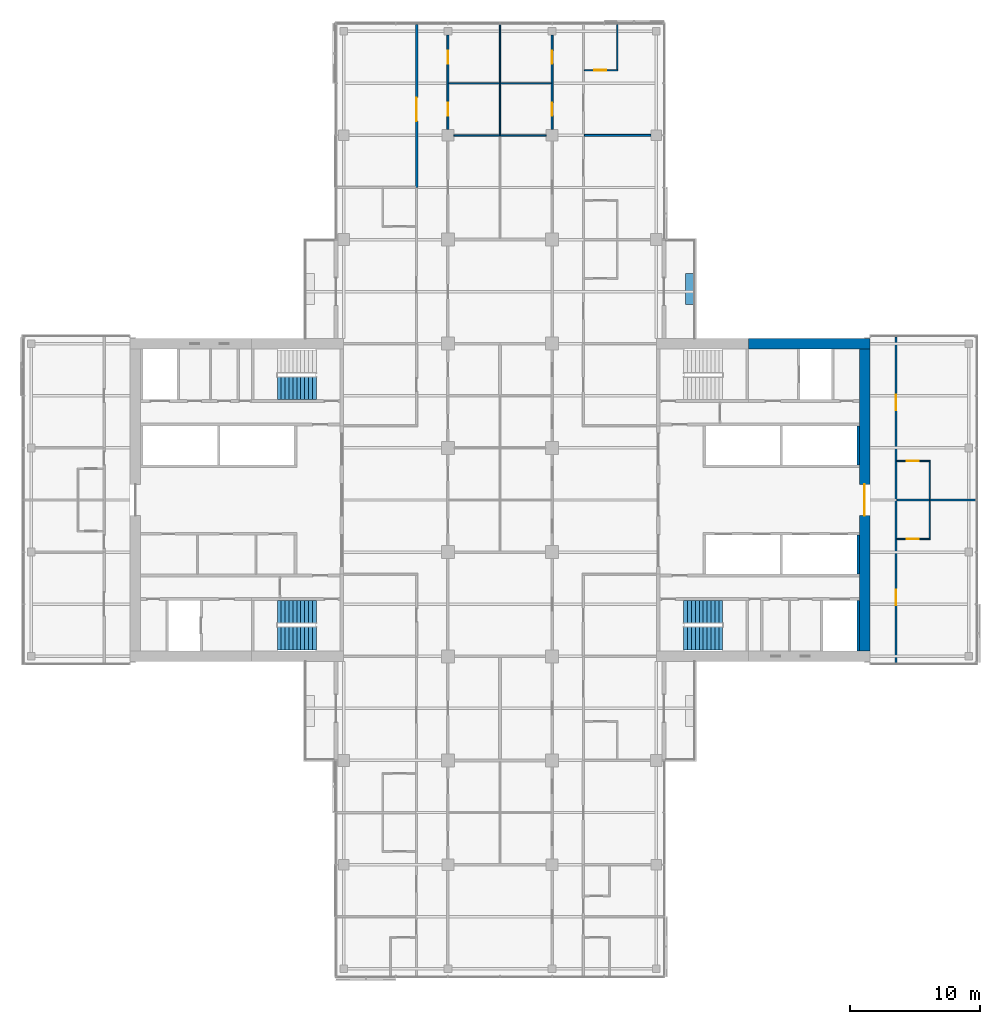
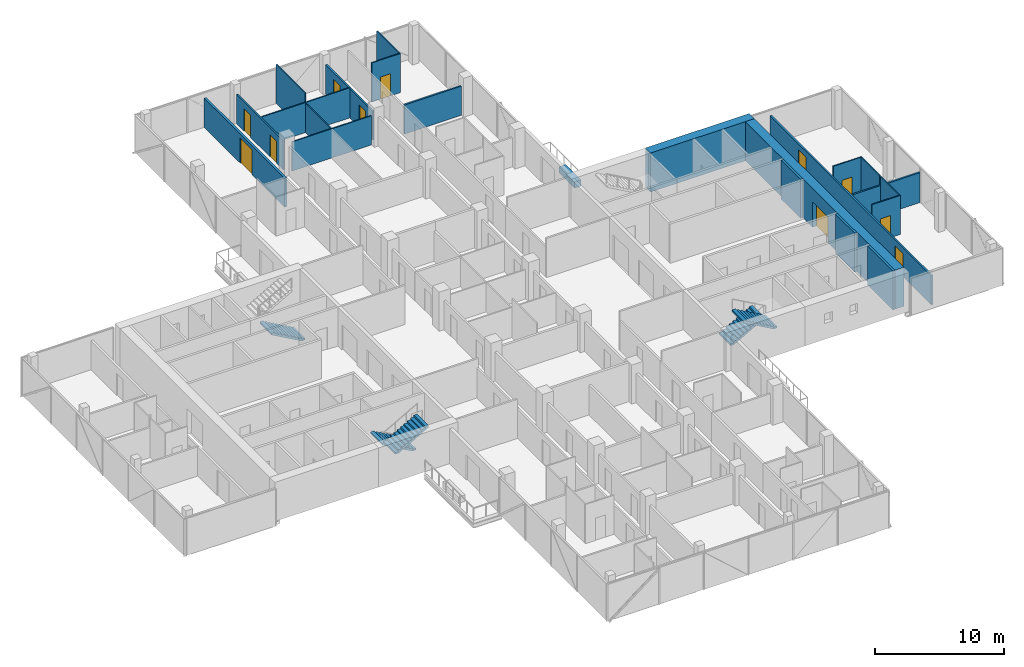
# One storey, part 21 of 27: 22 walls, 11 doors, 5 stair flights, 11 openings, 3 elements without a shape of their own.
"""IFC4 building model written with IfcOpenShell, lengths in metres."""

import ifcopenshell
import ifcopenshell.guid

model = None  # the IFC model being written
_history = None  # IfcOwnerHistory: only IFC2X3 demands one
_inside = {}  # id of a spatial element -> (the spatial element, [elements in it])
_under = {}  # id of a project, library or spatial element -> (it, [spatial elements below it])
_declared = {}  # id of a project -> (the project, [libraries it declares])
_typed = {}  # id of a type object -> (the type object, [elements of that type])
_made_of = {}  # id of a material, layer set ... -> (it, [elements and type objects made of it])


def new_model(schema):
    """Start an empty IFC model of exactly this schema.

    Asked for "IFC4X3", IfcOpenShell would pick the latest addendum, in which some entities
    have other attributes; the version numbers below select the first issue.
    IFC2X3 requires an IfcOwnerHistory on every rooted entity: one is made here for all.
    """
    global model, _history
    if schema == "IFC4X3":
        model = ifcopenshell.file(schema_version=(4, 3, 0, 0))
    else:
        model = ifcopenshell.file(schema=schema)
    _inside.clear()
    _under.clear()
    _declared.clear()
    _typed.clear()
    _made_of.clear()
    _history = None
    if model.schema == "IFC2X3":
        org = make("IfcOrganization", Name="unknown")
        user = make(
            "IfcPersonAndOrganization",
            ThePerson=make("IfcPerson", FamilyName="unknown"),
            TheOrganization=org,
        )
        app = make(
            "IfcApplication",
            ApplicationDeveloper=org,
            Version="unknown",
            ApplicationFullName="unknown",
            ApplicationIdentifier="unknown",
        )
        _history = make(
            "IfcOwnerHistory",
            OwningUser=user,
            OwningApplication=app,
            ChangeAction="ADDED",
            CreationDate=0,
        )
    return model


def make(cls, **values):
    """One entity of the class cls with the attributes given. An attribute that is None is left unset."""
    return model.create_entity(
        cls, **{name: value for name, value in values.items() if value is not None}
    )


def rooted(cls, **values):
    """An entity with a GlobalId (a new one), such as an element, a storey or a relation."""
    return make(cls, GlobalId=ifcopenshell.guid.new(), OwnerHistory=_history, **values)


def si_unit(unit_type, name, prefix=None):
    """IfcSIUnit, for example si_unit("LENGTHUNIT", "METRE", prefix="MILLI")."""
    return make("IfcSIUnit", UnitType=unit_type, Prefix=prefix, Name=name)


def assignment(units):
    """IfcUnitAssignment: the units of a project."""
    return None if units is None else make("IfcUnitAssignment", Units=units)


def point(xyz):
    """IfcCartesianPoint."""
    return None if xyz is None else make("IfcCartesianPoint", Coordinates=xyz)


def direction(xyz):
    """IfcDirection."""
    return None if xyz is None else make("IfcDirection", DirectionRatios=xyz)


def frame(location, z_axis=None, x_axis=None):
    """IfcAxis2Placement3D, a coordinate frame: its origin and axes. An axis left out is left unset."""
    return make(
        "IfcAxis2Placement3D",
        Location=point(location),
        Axis=direction(z_axis),
        RefDirection=direction(x_axis),
    )


def frame_2d(location, x_axis=None):
    """IfcAxis2Placement2D, a coordinate frame in the plane: its origin and x axis."""
    return make(
        "IfcAxis2Placement2D", Location=point(location), RefDirection=direction(x_axis)
    )


def origin():
    """The frame at (0, 0, 0) with its axes left unset."""
    return frame((0.0, 0.0, 0.0))


def place(relative_to, where):
    """IfcLocalPlacement: puts the frame where relative to a parent placement (None: the world)."""
    return make(
        "IfcLocalPlacement", PlacementRelTo=relative_to, RelativePlacement=where
    )


def context(
    kind, dimensions, precision=None, world=None, true_north=None, identifier=None
):
    """IfcGeometricRepresentationContext, for example the 3D "Model" context."""
    return make(
        "IfcGeometricRepresentationContext",
        ContextIdentifier=identifier,
        ContextType=kind,
        CoordinateSpaceDimension=dimensions,
        Precision=precision,
        WorldCoordinateSystem=world,
        TrueNorth=true_north,
    )


def subcontext(parent, identifier, kind, view, scale=None):
    """IfcGeometricRepresentationSubContext, for example "Body" below "Model"."""
    return make(
        "IfcGeometricRepresentationSubContext",
        ContextIdentifier=identifier,
        ContextType=kind,
        ParentContext=parent,
        TargetScale=scale,
        TargetView=view,
    )


def project(units=None, contexts=None):
    """IfcProject with its units and contexts."""
    return rooted(
        "IfcProject",
        Name="project",
        RepresentationContexts=contexts,
        UnitsInContext=assignment(units),
    )


def spatial(cls, under=None, at=None, **own):
    """A site, building, storey or space (cls), placed at a placement, below another one or the project."""
    s = rooted(cls, ObjectPlacement=at, **own)
    if under is not None:
        _under.setdefault(under.id(), (under, []))[1].append(s)
    return s


def polyline(points):
    """IfcPolyline through the points."""
    return make("IfcPolyline", Points=[point(p) for p in points])


def profile(cls, at=None, kind="AREA", **sizes):
    """A parametric profile (cls). Its sizes go by their IFC names, for example OverallWidth=200.0."""
    return make(cls, ProfileType=kind, Position=at, **sizes)


def rectangle(**sizes):
    """IfcRectangleProfileDef."""
    return profile("IfcRectangleProfileDef", **sizes)


def outline(outer, holes=None, kind="AREA"):
    """IfcArbitraryClosedProfileDef: a profile drawn as a closed curve; with holes, ...WithVoids."""
    if holes is None:
        return make("IfcArbitraryClosedProfileDef", ProfileType=kind, OuterCurve=outer)
    return make(
        "IfcArbitraryProfileDefWithVoids",
        ProfileType=kind,
        OuterCurve=outer,
        InnerCurves=holes,
    )


def extrude(swept, where, along, depth):
    """IfcExtrudedAreaSolid: the profile swept, set in the frame where, extruded along a direction by depth."""
    return make(
        "IfcExtrudedAreaSolid",
        SweptArea=swept,
        Position=where,
        ExtrudedDirection=direction(along),
        Depth=depth,
    )


def shape(context_of_items, identifier, shape_type, items):
    """IfcShapeRepresentation: the items that make up one representation, for example the "Body"."""
    return make(
        "IfcShapeRepresentation",
        ContextOfItems=context_of_items,
        RepresentationIdentifier=identifier,
        RepresentationType=shape_type,
        Items=items,
    )


def material(Name=None, Category=None):
    """IfcMaterial."""
    return make("IfcMaterial", Name=Name, Category=Category)


def layer(
    of_material, thickness, ventilated=None, Name=None, Category=None, Priority=None
):
    """IfcMaterialLayer: one layer of a wall or slab, of a material (None: an air gap)."""
    return make(
        "IfcMaterialLayer",
        Material=of_material,
        LayerThickness=thickness,
        IsVentilated=ventilated,
        Name=Name,
        Category=Category,
        Priority=Priority,
    )


def layer_set(layers, Name=None):
    """IfcMaterialLayerSet."""
    return make("IfcMaterialLayerSet", MaterialLayers=layers, LayerSetName=Name)


def constituent(of_material, Name=None, Category=None, fraction=None):
    """IfcMaterialConstituent: one of the materials an element consists of."""
    return make(
        "IfcMaterialConstituent",
        Name=Name,
        Material=of_material,
        Fraction=fraction,
        Category=Category,
    )


def constituent_set(constituents=None, Name=None):
    """IfcMaterialConstituentSet."""
    return make(
        "IfcMaterialConstituentSet", Name=Name, MaterialConstituents=constituents
    )


def made_of(thing, what):
    """Note that an element or type object is made of a material, layer set ...; save() writes the relation."""
    if what is not None:
        _made_of.setdefault(what.id(), (what, []))[1].append(thing)
    return thing


def type_object(cls, material=None, **own):
    """A type object (cls), such as IfcWallType, which elements share."""
    return made_of(rooted(cls, **own), material)


def element(
    cls,
    number,
    at=None,
    inside=None,
    cuts=None,
    type_object=None,
    material=None,
    context=None,
    identifier="Body",
    shape_type=None,
    held_by="IfcProductDefinitionShape",
    body=None,
    shapes=None,
    **own,
):
    """One element of the class cls, such as IfcWall. Its Tag is "e" and its number.

    at: its placement. inside: the storey or other place that contains it. cuts: it is an
    opening in that element (IfcRelVoidsElement). A single representation is given by context,
    identifier, shape_type and body (its items); several are given by shapes. held_by: the class
    of the entity that holds the representations. save() writes the other relations.
    """
    e = rooted(cls, Tag="e%d" % number, ObjectPlacement=at, **own)
    if body is not None:
        shapes = [shape(context, identifier, shape_type, body)]
    if shapes is not None:
        e.Representation = make(held_by, Representations=shapes)
    if inside is not None:
        _inside.setdefault(inside.id(), (inside, []))[1].append(e)
    if cuts is not None:
        rooted(
            "IfcRelVoidsElement", RelatingBuildingElement=cuts, RelatedOpeningElement=e
        )
    if type_object is not None:
        _typed.setdefault(type_object.id(), (type_object, []))[1].append(e)
    return made_of(e, material)


def fill(opening, filler):
    """IfcRelFillsElement: the door or window that sits in an opening."""
    return rooted(
        "IfcRelFillsElement",
        RelatingOpeningElement=opening,
        RelatedBuildingElement=filler,
    )


def aggregate(whole, parts):
    """IfcRelAggregates: a whole, such as a stair, and the parts it consists of."""
    return rooted("IfcRelAggregates", RelatingObject=whole, RelatedObjects=parts)


def save(model, path):
    """Write the relations noted so far, then the file.

    IfcRelAggregates (storeys below a building ...), IfcRelContainedInSpatialStructure (elements
    in a storey), IfcRelDefinesByType, IfcRelAssociatesMaterial and IfcRelDeclares: one each for
    every whole, place, type object, material and project.
    """
    for whole, parts in _under.values():
        aggregate(whole, parts)
    for where, things in _inside.values():
        rooted(
            "IfcRelContainedInSpatialStructure",
            RelatedElements=things,
            RelatingStructure=where,
        )
    for kind, things in _typed.values():
        rooted("IfcRelDefinesByType", RelatedObjects=things, RelatingType=kind)
    for what, things in _made_of.values():
        rooted("IfcRelAssociatesMaterial", RelatedObjects=things, RelatingMaterial=what)
    for by, libraries in _declared.values():
        rooted("IfcRelDeclares", RelatingContext=by, RelatedDefinitions=libraries)
    model.write(path)


model = new_model("IFC4")

# Units and contexts
model_context = context("Model", 3, precision=1e-05, world=origin(), true_north=direction((0.0, 1.0)))
body_context = subcontext(model_context, "Body", "Model", "MODEL_VIEW")
ifc_project = project(units=[si_unit("LENGTHUNIT", "METRE"), si_unit("AREAUNIT", "SQUARE_METRE"), si_unit("VOLUMEUNIT", "CUBIC_METRE"), si_unit("PLANEANGLEUNIT", "RADIAN"), si_unit("MASSUNIT", "GRAM", prefix="KILO")], contexts=[model_context])

# Site, building, storey
site_placement = place(None, origin())
site = spatial("IfcSite", under=ifc_project, at=site_placement, CompositionType="ELEMENT")
building_placement = place(site_placement, origin())
building = spatial("IfcBuilding", under=site, at=building_placement, Name="Crosswind Convention Tower", CompositionType="ELEMENT")
storey_placement = place(building_placement, frame((0.0, 0.0, 101.60009765625)))
storey = spatial("IfcBuildingStorey", under=building, at=storey_placement, Name="L20", CompositionType="ELEMENT", Elevation=101.60009765625)

# Wall, openings, doors
ifc_material_1 = material(Name="Plasterboard partition", Category="gypsum")
ifc_layer_1 = layer(ifc_material_1, 0.14990234375)
ifc_layer_set_1 = layer_set([ifc_layer_1], Name="CORRIDOR WALL 150")
wall_type_1 = type_object("IfcWallType", Name="CORRIDOR WALL 150", PredefinedType="PARTITIONING", material=ifc_layer_set_1)
wall_1_placement = place(storey_placement, frame((121.0, 128.449951171875, 0.0), z_axis=(0.0, 0.0, 1.0), x_axis=(0.0, 1.0, 0.0)))
wall_1 = element("IfcWall", 1, at=wall_1_placement, inside=storey, type_object=wall_type_1, Name="Corridor Wall 72", PredefinedType="PARTITIONING", context=body_context, shape_type="SweptSolid", body=[
    extrude(rectangle(XDim=7.25, YDim=0.14990234375, at=frame_2d((3.625, 0.0))), origin(), (0.0, 0.0, 1.0), 2.760498046875),
])
opening_1_placement = place(wall_1_placement, frame((1.050048828125, 0.0, 0.0)))
opening_1 = element("IfcOpeningElement", 2, at=opening_1_placement, cuts=wall_1, Name="Opening 20.056", PredefinedType="OPENING", context=body_context, shape_type="SweptSolid", body=[
    extrude(rectangle(XDim=1.0, YDim=2.10009765625, at=frame_2d((0.5, 1.050048828125))), frame((0.0, 0.0849609375, 0.0), z_axis=(0.0, -1.0, 0.0), x_axis=(1.0, 0.0, 0.0)), (0.0, 0.0, 1.0), 0.169921875),
])
opening_2_placement = place(wall_1_placement, frame((5.050048828125, 0.0, 0.0)))
opening_2 = element("IfcOpeningElement", 3, at=opening_2_placement, cuts=wall_1, Name="Opening 20.057", PredefinedType="OPENING", context=body_context, shape_type="SweptSolid", body=[
    extrude(rectangle(XDim=1.0, YDim=2.10009765625, at=frame_2d((0.5, 1.050048828125))), frame((0.0, 0.0849609375, 0.0), z_axis=(0.0, -1.0, 0.0), x_axis=(1.0, 0.0, 0.0)), (0.0, 0.0, 1.0), 0.169921875),
])
ifc_material_2 = material(Name="Timber fire door", Category="wood")
door_type_1 = type_object("IfcDoorType", Name="SERVICE ROOM DOOR 1000X2100", OperationType="NOTDEFINED", PredefinedType="DOOR", material=ifc_material_2)
door_1_placement = place(opening_1_placement, frame((1.0, 0.0, 0.0), z_axis=(0.0, 0.0, 1.0), x_axis=(-1.0, 0.0, 0.0)))
door_1 = element("IfcDoor", 4, at=door_1_placement, inside=storey, type_object=door_type_1, Name="Door 20.056", ObjectType="D3", OperationType="SINGLE_SWING_RIGHT", OverallHeight=2.10009765625, OverallWidth=1.0, PredefinedType="DOOR", context=body_context, shape_type="SweptSolid", body=[
    extrude(rectangle(XDim=1.0, YDim=2.10009765625, at=frame_2d((0.5, 1.050048828125))), frame((0.0, 0.02490234375, 0.0), z_axis=(0.0, -1.0, 0.0), x_axis=(1.0, 0.0, 0.0)), (0.0, 0.0, 1.0), 0.050048828125),
])
fill(opening_1, door_1)
door_2_placement = place(opening_2_placement, frame((1.0, 0.0, 0.0), z_axis=(0.0, 0.0, 1.0), x_axis=(-1.0, 0.0, 0.0)))
door_2 = element("IfcDoor", 5, at=door_2_placement, inside=storey, type_object=door_type_1, Name="Door 20.057", ObjectType="D3", OperationType="SINGLE_SWING_LEFT", OverallHeight=2.10009765625, OverallWidth=1.0, PredefinedType="DOOR", context=body_context, shape_type="SweptSolid", body=[
    extrude(rectangle(XDim=1.0, YDim=2.10009765625, at=frame_2d((0.5, 1.050048828125))), frame((0.0, 0.02490234375, 0.0), z_axis=(0.0, -1.0, 0.0), x_axis=(1.0, 0.0, 0.0)), (0.0, 0.0, 1.0), 0.050048828125),
])
fill(opening_2, door_2)

wall_2_placement = place(storey_placement, frame((129.0, 128.449951171875, 0.0), z_axis=(0.0, 0.0, 1.0), x_axis=(0.0, 1.0, 0.0)))
wall_2 = element("IfcWall", 6, at=wall_2_placement, inside=storey, type_object=wall_type_1, Name="Corridor Wall 91", PredefinedType="PARTITIONING", context=body_context, shape_type="SweptSolid", body=[
    extrude(rectangle(XDim=7.25, YDim=0.14990234375, at=frame_2d((3.625, 0.0))), origin(), (0.0, 0.0, 1.0), 2.760498046875),
])
opening_3_placement = place(wall_2_placement, frame((1.050048828125, 0.0, 0.0)))
opening_3 = element("IfcOpeningElement", 7, at=opening_3_placement, cuts=wall_2, Name="Opening 20.058", PredefinedType="OPENING", context=body_context, shape_type="SweptSolid", body=[
    extrude(rectangle(XDim=1.0, YDim=2.10009765625, at=frame_2d((0.5, 1.050048828125))), frame((0.0, 0.0849609375, 0.0), z_axis=(0.0, -1.0, 0.0), x_axis=(1.0, 0.0, 0.0)), (0.0, 0.0, 1.0), 0.169921875),
])
opening_4_placement = place(wall_2_placement, frame((5.050048828125, 0.0, 0.0)))
opening_4 = element("IfcOpeningElement", 8, at=opening_4_placement, cuts=wall_2, Name="Opening 20.059", PredefinedType="OPENING", context=body_context, shape_type="SweptSolid", body=[
    extrude(rectangle(XDim=1.0, YDim=2.10009765625, at=frame_2d((0.5, 1.050048828125))), frame((0.0, 0.0849609375, 0.0), z_axis=(0.0, -1.0, 0.0), x_axis=(1.0, 0.0, 0.0)), (0.0, 0.0, 1.0), 0.169921875),
])
door_3_placement = place(opening_3_placement, origin())
door_3 = element("IfcDoor", 9, at=door_3_placement, inside=storey, type_object=door_type_1, Name="Door 20.058", ObjectType="D3", OperationType="SINGLE_SWING_LEFT", OverallHeight=2.10009765625, OverallWidth=1.0, PredefinedType="DOOR", context=body_context, shape_type="SweptSolid", body=[
    extrude(rectangle(XDim=1.0, YDim=2.10009765625, at=frame_2d((0.5, 1.050048828125))), frame((0.0, 0.02490234375, 0.0), z_axis=(0.0, -1.0, 0.0), x_axis=(1.0, 0.0, 0.0)), (0.0, 0.0, 1.0), 0.050048828125),
])
fill(opening_3, door_3)
door_4_placement = place(opening_4_placement, origin())
door_4 = element("IfcDoor", 10, at=door_4_placement, inside=storey, type_object=door_type_1, Name="Door 20.059", ObjectType="D3", OperationType="SINGLE_SWING_RIGHT", OverallHeight=2.10009765625, OverallWidth=1.0, PredefinedType="DOOR", context=body_context, shape_type="SweptSolid", body=[
    extrude(rectangle(XDim=1.0, YDim=2.10009765625, at=frame_2d((0.5, 1.050048828125))), frame((0.0, 0.02490234375, 0.0), z_axis=(0.0, -1.0, 0.0), x_axis=(1.0, 0.0, 0.0)), (0.0, 0.0, 1.0), 0.050048828125),
])
fill(opening_4, door_4)

# Wall, opening, door
ifc_material_3 = material(Name="Concrete C60/75", Category="concrete")
ifc_layer_2 = layer(ifc_material_3, 0.800048828125)
ifc_layer_set_2 = layer_set([ifc_layer_2], Name="Concrete C60/75")
wall_type_2 = type_object("IfcWallType", Name="Concrete core wall 800", PredefinedType="SHEAR", material=ifc_layer_set_2)
wall_3_placement = place(storey_placement, frame((153.0, 88.39990234375, 0.0), z_axis=(0.0, 0.0, 1.0), x_axis=(0.0, 1.0, 0.0)))
wall_3 = element("IfcWall", 11, at=wall_3_placement, inside=storey, type_object=wall_type_2, Name="Wall O E L20", PredefinedType="SHEAR", context=body_context, shape_type="SweptSolid", body=[
    extrude(rectangle(XDim=23.2001953125, YDim=0.800048828125, at=frame_2d((11.60009765625, 0.0))), origin(), (0.0, 0.0, 1.0), 3.699951171875),
])
opening_5_placement = place(wall_3_placement, frame((10.39990234375, 0.0, 0.0)))
opening_5 = element("IfcOpeningElement", 12, at=opening_5_placement, cuts=wall_3, Name="Opening D100", PredefinedType="OPENING", context=body_context, shape_type="SweptSolid", body=[
    extrude(rectangle(XDim=2.39990234375, YDim=2.39990234375, at=frame_2d((1.199951171875, 1.199951171875))), frame((0.0, 0.409912109375, 0.0), z_axis=(0.0, -1.0, 0.0), x_axis=(1.0, 0.0, 0.0)), (0.0, 0.0, 1.0), 0.820068359375),
])
ifc_material_4 = material(Name="Steel fire door with glazed vision panels", Category="steel")
door_type_2 = type_object("IfcDoorType", Name="Fire-rated double door 2400x2400", OperationType="DOUBLE_DOOR_SINGLE_SWING", PredefinedType="DOOR", material=ifc_material_4)
door_5_placement = place(opening_5_placement, origin())
door_5 = element("IfcDoor", 13, at=door_5_placement, inside=storey, type_object=door_type_2, Name="Lobby outer door L20", ObjectType="D100", OperationType="DOUBLE_DOOR_SINGLE_SWING", OverallHeight=2.39990234375, OverallWidth=2.39990234375, PredefinedType="DOOR", context=body_context, shape_type="SweptSolid", body=[
    extrude(rectangle(XDim=2.39990234375, YDim=2.39990234375, at=frame_2d((1.199951171875, 1.199951171875))), frame((0.0, 0.02490234375, 0.0), z_axis=(0.0, -1.0, 0.0), x_axis=(1.0, 0.0, 0.0)), (0.0, 0.0, 1.0), 0.050048828125),
])
fill(opening_5, door_5)

# Walls
ifc_material_5 = material(Name="Concrete C50/60", Category="concrete")
ifc_layer_3 = layer(ifc_material_5, 0.199951171875)
ifc_layer_set_3 = layer_set([ifc_layer_3], Name="Concrete C50/60")
wall_type_3 = type_object("IfcWallType", Name="Concrete shaft and stair wall 200", PredefinedType="SHEAR", material=ifc_layer_set_3)
for number, where, z_axis, x_axis, name in (
    (14, (152.5, 102.699951171875, 0.0), (0.0, 0.0, 1.0), (0.0, 1.0, 0.0), "Wall RPEAST E L20"),
    (15, (152.5, 94.300048828125, 0.0), (0.0, 0.0, 1.0), (0.0, 1.0, 0.0), "Wall RMEAST E L20"),
):
    element("IfcWall", number, at=place(storey_placement, frame(where, z_axis=z_axis, x_axis=x_axis)), inside=storey, type_object=wall_type_3, Name=name, PredefinedType="SHEAR", context=body_context, shape_type="SweptSolid", body=[
        extrude(rectangle(XDim=3.0, YDim=0.199951171875, at=frame_2d((1.5, 0.0))), origin(), (0.0, 0.0, 1.0), 3.699951171875),
    ])
wall_4_placement = place(storey_placement, frame((152.5, 88.39990234375, 0.0), z_axis=(0.0, 0.0, 1.0), x_axis=(0.0, 1.0, 0.0)))
element("IfcWall", 16, at=wall_4_placement, inside=storey, type_object=wall_type_3, Name="Wall MFSE E L20", PredefinedType="SHEAR", context=body_context, shape_type="SweptSolid", body=[
    extrude(rectangle(XDim=3.900146484375, YDim=0.199951171875, at=frame_2d((1.9501953125, 0.0))), origin(), (0.0, 0.0, 1.0), 3.699951171875),
])
ifc_material_6 = material(Name="Acoustic plasterboard partition", Category="gypsum")
ifc_layer_4 = layer(ifc_material_6, 0.14990234375)
ifc_layer_set_4 = layer_set([ifc_layer_4], Name="GUEST ROOM WALL 150")
wall_type_4 = type_object("IfcWallType", Name="GUEST ROOM WALL 150", PredefinedType="PARTITIONING", material=ifc_layer_set_4)
wall_5_placement = place(storey_placement, frame((155.47509765625, 100.0, 0.0), z_axis=(0.0, 0.0, 1.0), x_axis=(1.0, 0.0, 0.0)))
element("IfcWall", 17, at=wall_5_placement, inside=storey, type_object=wall_type_4, Name="Guest Room Wall 26", PredefinedType="PARTITIONING", context=body_context, shape_type="SweptSolid", body=[
    extrude(rectangle(XDim=6.02490234375, YDim=0.14990234375, at=frame_2d((3.012451171875, 0.0))), origin(), (0.0, 0.0, 1.0), 2.8427734375),
])
wall_6_placement = place(storey_placement, frame((131.47509765625, 128.0, 0.0), z_axis=(0.0, 0.0, 1.0), x_axis=(1.0, 0.0, 0.0)))
element("IfcWall", 18, at=wall_6_placement, inside=storey, type_object=wall_type_4, Name="Guest Room Wall 46", PredefinedType="PARTITIONING", context=body_context, shape_type="SweptSolid", body=[
    extrude(rectangle(XDim=5.125, YDim=0.14990234375, at=frame_2d((2.5625, 0.0))), origin(), (0.0, 0.0, 1.0), 2.760498046875),
])

# Wall, openings, doors
wall_7_placement = place(storey_placement, frame((155.39990234375, 87.5, 0.0), z_axis=(0.0, 0.0, 1.0), x_axis=(0.0, 1.0, 0.0)))
wall_7 = element("IfcWall", 19, at=wall_7_placement, inside=storey, type_object=wall_type_4, Name="Guest Room Wall 104", PredefinedType="PARTITIONING", context=body_context, shape_type="SweptSolid", body=[
    extrude(rectangle(XDim=25.0, YDim=0.14990234375, at=frame_2d((12.5, 0.0))), origin(), (0.0, 0.0, 1.0), 2.75537109375),
])
opening_6_placement = place(wall_7_placement, frame((4.39990234375, 0.0, 0.0)))
opening_6 = element("IfcOpeningElement", 20, at=opening_6_placement, cuts=wall_7, Name="Opening 20.027", PredefinedType="OPENING", context=body_context, shape_type="SweptSolid", body=[
    extrude(rectangle(XDim=1.199951171875, YDim=2.199951171875, at=frame_2d((0.60009765625, 1.10009765625))), frame((0.0, 0.0849609375, 0.0), z_axis=(0.0, -1.0, 0.0), x_axis=(1.0, 0.0, 0.0)), (0.0, 0.0, 1.0), 0.169921875),
])
opening_7_placement = place(wall_7_placement, frame((19.39990234375, 0.0, 0.0)))
opening_7 = element("IfcOpeningElement", 21, at=opening_7_placement, cuts=wall_7, Name="Opening 20.029", PredefinedType="OPENING", context=body_context, shape_type="SweptSolid", body=[
    extrude(rectangle(XDim=1.199951171875, YDim=2.199951171875, at=frame_2d((0.60009765625, 1.10009765625))), frame((0.0, 0.0849609375, 0.0), z_axis=(0.0, -1.0, 0.0), x_axis=(1.0, 0.0, 0.0)), (0.0, 0.0, 1.0), 0.169921875),
])
door_type_3 = type_object("IfcDoorType", Name="SUITE DOOR 1200X2200", OperationType="DOUBLE_DOOR_SINGLE_SWING", PredefinedType="DOOR", material=ifc_material_2)
door_6_placement = place(opening_6_placement, frame((1.199951171875, 0.0, 0.0), z_axis=(0.0, 0.0, 1.0), x_axis=(-1.0, 0.0, 0.0)))
door_6 = element("IfcDoor", 22, at=door_6_placement, inside=storey, type_object=door_type_3, Name="Door 20.027", ObjectType="D14", OperationType="DOUBLE_DOOR_SINGLE_SWING", OverallHeight=2.199951171875, OverallWidth=1.199951171875, PredefinedType="DOOR", context=body_context, shape_type="SweptSolid", body=[
    extrude(rectangle(XDim=1.199951171875, YDim=2.199951171875, at=frame_2d((0.60009765625, 1.10009765625))), frame((0.0, 0.02490234375, 0.0), z_axis=(0.0, -1.0, 0.0), x_axis=(1.0, 0.0, 0.0)), (0.0, 0.0, 1.0), 0.050048828125),
])
fill(opening_6, door_6)
door_7_placement = place(opening_7_placement, frame((1.199951171875, 0.0, 0.0), z_axis=(0.0, 0.0, 1.0), x_axis=(-1.0, 0.0, 0.0)))
door_7 = element("IfcDoor", 23, at=door_7_placement, inside=storey, type_object=door_type_3, Name="Door 20.029", ObjectType="D14", OperationType="DOUBLE_DOOR_SINGLE_SWING", OverallHeight=2.199951171875, OverallWidth=1.199951171875, PredefinedType="DOOR", context=body_context, shape_type="SweptSolid", body=[
    extrude(rectangle(XDim=1.199951171875, YDim=2.199951171875, at=frame_2d((0.60009765625, 1.10009765625))), frame((0.0, 0.02490234375, 0.0), z_axis=(0.0, -1.0, 0.0), x_axis=(1.0, 0.0, 0.0)), (0.0, 0.0, 1.0), 0.050048828125),
])
fill(opening_7, door_7)

# Wall, opening, door
ifc_material_7 = material(Name="Double plasterboard partition", Category="gypsum")
ifc_layer_5 = layer(ifc_material_7, 0.199951171875)
ifc_layer_set_5 = layer_set([ifc_layer_5], Name="HALL WALL 200")
wall_type_5 = type_object("IfcWallType", Name="HALL WALL 200", PredefinedType="PARTITIONING", material=ifc_layer_set_5)
wall_8_placement = place(storey_placement, frame((118.60009765625, 124.0, 0.0), z_axis=(0.0, 0.0, 1.0), x_axis=(0.0, 1.0, 0.0)))
wall_8 = element("IfcWall", 24, at=wall_8_placement, inside=storey, type_object=wall_type_5, Name="Hall Wall 62", PredefinedType="PARTITIONING", context=body_context, shape_type="SweptSolid", body=[
    extrude(rectangle(XDim=12.5, YDim=0.199951171875, at=frame_2d((6.25, 0.0))), origin(), (0.0, 0.0, 1.0), 2.760498046875),
])
opening_8_placement = place(wall_8_placement, frame((5.10009765625, 0.0, 0.0)))
opening_8 = element("IfcOpeningElement", 25, at=opening_8_placement, cuts=wall_8, Name="Opening 20.013", PredefinedType="OPENING", context=body_context, shape_type="SweptSolid", body=[
    extrude(rectangle(XDim=1.800048828125, YDim=2.39990234375, at=frame_2d((0.89990234375, 1.199951171875))), frame((0.0, 0.10986328125, 0.0), z_axis=(0.0, -1.0, 0.0), x_axis=(1.0, 0.0, 0.0)), (0.0, 0.0, 1.0), 0.219970703125),
])
door_type_4 = type_object("IfcDoorType", Name="HALL DOUBLE DOOR 1800X2400", OperationType="DOUBLE_DOOR_SINGLE_SWING", PredefinedType="DOOR", material=ifc_material_2)
door_8_placement = place(opening_8_placement, frame((1.800048828125, 0.0, 0.0), z_axis=(0.0, 0.0, 1.0), x_axis=(-1.0, 0.0, 0.0)))
door_8 = element("IfcDoor", 26, at=door_8_placement, inside=storey, type_object=door_type_4, Name="Door 20.013", ObjectType="D5", OperationType="DOUBLE_DOOR_SINGLE_SWING", OverallHeight=2.39990234375, OverallWidth=1.800048828125, PredefinedType="DOOR", context=body_context, shape_type="SweptSolid", body=[
    extrude(rectangle(XDim=1.800048828125, YDim=2.39990234375, at=frame_2d((0.89990234375, 1.199951171875))), frame((0.0, 0.02490234375, 0.0), z_axis=(0.0, -1.0, 0.0), x_axis=(1.0, 0.0, 0.0)), (0.0, 0.0, 1.0), 0.050048828125),
])
fill(opening_8, door_8)

# Walls
ifc_layer_6 = layer(ifc_material_1, 0.10009765625)
ifc_layer_set_6 = layer_set([ifc_layer_6], Name="PARTITION 100")
wall_type_6 = type_object("IfcWallType", Name="PARTITION 100", PredefinedType="PARTITIONING", material=ifc_layer_set_6)
wall_9_placement = place(storey_placement, frame((121.449951171875, 128.0, 0.0), z_axis=(0.0, 0.0, 1.0), x_axis=(1.0, 0.0, 0.0)))
element("IfcWall", 27, at=wall_9_placement, inside=storey, type_object=wall_type_6, Name="Partition 45", PredefinedType="PARTITIONING", context=body_context, shape_type="SweptSolid", body=[
    extrude(rectangle(XDim=7.10009765625, YDim=0.10009765625, at=frame_2d((3.550048828125, 0.0))), origin(), (0.0, 0.0, 1.0), 2.760498046875),
])
wall_10_placement = place(storey_placement, frame((121.074951171875, 132.0, 0.0), z_axis=(0.0, 0.0, 1.0), x_axis=(1.0, 0.0, 0.0)))
element("IfcWall", 28, at=wall_10_placement, inside=storey, type_object=wall_type_6, Name="Partition 47", PredefinedType="PARTITIONING", context=body_context, shape_type="SweptSolid", body=[
    extrude(rectangle(XDim=7.85009765625, YDim=0.10009765625, at=frame_2d((3.925048828125, 0.0))), origin(), (0.0, 0.0, 1.0), 2.8427734375),
])
wall_11_placement = place(storey_placement, frame((125.0, 128.050048828125, 0.0), z_axis=(0.0, 0.0, 1.0), x_axis=(0.0, 1.0, 0.0)))
element("IfcWall", 29, at=wall_11_placement, inside=storey, type_object=wall_type_6, Name="Partition 81", PredefinedType="PARTITIONING", context=body_context, shape_type="SweptSolid", body=[
    extrude(rectangle(XDim=3.89990234375, YDim=0.10009765625, at=frame_2d((1.949951171875, 0.0))), origin(), (0.0, 0.0, 1.0), 2.760498046875),
])
wall_12_placement = place(storey_placement, frame((125.0, 132.050048828125, 0.0), z_axis=(0.0, 0.0, 1.0), x_axis=(0.0, 1.0, 0.0)))
element("IfcWall", 30, at=wall_12_placement, inside=storey, type_object=wall_type_6, Name="Partition 82", PredefinedType="PARTITIONING", context=body_context, shape_type="SweptSolid", body=[
    extrude(rectangle(XDim=4.449951171875, YDim=0.10009765625, at=frame_2d((2.22509765625, 0.0))), origin(), (0.0, 0.0, 1.0), 3.699951171875),
])
ifc_material_8 = material(Name="Concrete C30/37", Category="concrete")
ifc_layer_7 = layer(ifc_material_8, 0.60009765625)
ifc_layer_set_7 = layer_set([ifc_layer_7], Name="Concrete C30/37")
wall_type_7 = type_object("IfcWallType", Name="PLANTER BOX WALL 600", PredefinedType="SOLIDWALL", material=ifc_layer_set_7)
wall_13_placement = place(storey_placement, frame((139.550048828125, 115.0, 0.0), z_axis=(0.0, 0.0, 1.0), x_axis=(0.0, 1.0, 0.0)))
element("IfcWall", 31, at=wall_13_placement, inside=storey, type_object=wall_type_7, Name="PLANTER L20 N-E.1-1", PredefinedType="SOLIDWALL", context=body_context, shape_type="SweptSolid", body=[
    extrude(rectangle(XDim=2.39990234375, YDim=0.60009765625, at=frame_2d((1.199951171875, 0.0))), origin(), (0.0, 0.0, 1.0), 0.599853515625),
])
ifc_constituent_1 = constituent(ifc_material_3, Name="Structure")
ifc_material_9 = material(Name="Terracotta rainscreen", Category="ceramic")
ifc_constituent_2 = constituent(ifc_material_9, Name="Facing")
ifc_constituent_set = constituent_set(constituents=[ifc_constituent_1, ifc_constituent_2], Name="Concrete C60/75, Terracotta rainscreen")
wall_type_8 = type_object("IfcWallType", Name="Terracotta rainscreen on concrete core wall 800", PredefinedType="SHEAR", material=ifc_constituent_set)
wall_14_placement = place(storey_placement, frame((144.10009765625, 112.0, 0.0), z_axis=(0.0, 0.0, 1.0), x_axis=(1.0, 0.0, 0.0)))
element("IfcWall", 32, at=wall_14_placement, inside=storey, type_object=wall_type_8, Name="Wall N2 E L20", PredefinedType="SHEAR", context=body_context, shape_type="SweptSolid", body=[
    extrude(rectangle(XDim=9.2998046875, YDim=0.800048828125, at=frame_2d((4.64990234375, 0.0))), origin(), (0.0, 0.0, 1.0), 3.699951171875),
])

# Wall, opening, door
ifc_material_10 = material(Name="Water-resistant plasterboard partition", Category="gypsum")
ifc_layer_8 = layer(ifc_material_10, 0.10009765625)
ifc_layer_set_8 = layer_set([ifc_layer_8], Name="WET ROOM PARTITION 100")
wall_type_9 = type_object("IfcWallType", Name="WET ROOM PARTITION 100", PredefinedType="PLUMBINGWALL", material=ifc_layer_set_8)
wall_15_placement = place(storey_placement, frame((155.47509765625, 97.0, 0.0), z_axis=(0.0, 0.0, 1.0), x_axis=(1.0, 0.0, 0.0)))
wall_15 = element("IfcWall", 33, at=wall_15_placement, inside=storey, type_object=wall_type_9, Name="Wet Room Partition 22", PredefinedType="PLUMBINGWALL", context=body_context, shape_type="SweptSolid", body=[
    extrude(rectangle(XDim=2.574951171875, YDim=0.10009765625, at=frame_2d((1.28759765625, 0.0))), origin(), (0.0, 0.0, 1.0), 3.699951171875),
])
opening_9_placement = place(wall_15_placement, frame((0.77490234375, 0.0, 0.0)))
opening_9 = element("IfcOpeningElement", 34, at=opening_9_placement, cuts=wall_15, Name="Opening 20.028", PredefinedType="OPENING", context=body_context, shape_type="SweptSolid", body=[
    extrude(rectangle(XDim=0.89990234375, YDim=2.10009765625, at=frame_2d((0.449951171875, 1.050048828125))), frame((0.0, 0.06005859375, 0.0), z_axis=(0.0, -1.0, 0.0), x_axis=(1.0, 0.0, 0.0)), (0.0, 0.0, 1.0), 0.1201171875),
])
ifc_material_11 = material(Name="Timber door", Category="wood")
door_type_5 = type_object("IfcDoorType", Name="EN-SUITE DOOR 900X2100", OperationType="NOTDEFINED", PredefinedType="DOOR", material=ifc_material_11)
door_9_placement = place(opening_9_placement, origin())
door_9 = element("IfcDoor", 35, at=door_9_placement, inside=storey, type_object=door_type_5, Name="Door 20.028", ObjectType="D2", OperationType="SINGLE_SWING_RIGHT", OverallHeight=2.10009765625, OverallWidth=0.89990234375, PredefinedType="DOOR", context=body_context, shape_type="SweptSolid", body=[
    extrude(rectangle(XDim=0.89990234375, YDim=2.10009765625, at=frame_2d((0.449951171875, 1.050048828125))), frame((0.0, 0.02490234375, 0.0), z_axis=(0.0, -1.0, 0.0), x_axis=(1.0, 0.0, 0.0)), (0.0, 0.0, 1.0), 0.050048828125),
])
fill(opening_9, door_9)

wall_16_placement = place(storey_placement, frame((155.47509765625, 103.0, 0.0), z_axis=(0.0, 0.0, 1.0), x_axis=(1.0, 0.0, 0.0)))
wall_16 = element("IfcWall", 36, at=wall_16_placement, inside=storey, type_object=wall_type_9, Name="Wet Room Partition 28", PredefinedType="PLUMBINGWALL", context=body_context, shape_type="SweptSolid", body=[
    extrude(rectangle(XDim=2.574951171875, YDim=0.10009765625, at=frame_2d((1.28759765625, 0.0))), origin(), (0.0, 0.0, 1.0), 3.699951171875),
])
opening_10_placement = place(wall_16_placement, frame((0.77490234375, 0.0, 0.0)))
opening_10 = element("IfcOpeningElement", 37, at=opening_10_placement, cuts=wall_16, Name="Opening 20.030", PredefinedType="OPENING", context=body_context, shape_type="SweptSolid", body=[
    extrude(rectangle(XDim=0.89990234375, YDim=2.10009765625, at=frame_2d((0.449951171875, 1.050048828125))), frame((0.0, 0.06005859375, 0.0), z_axis=(0.0, -1.0, 0.0), x_axis=(1.0, 0.0, 0.0)), (0.0, 0.0, 1.0), 0.1201171875),
])
door_10_placement = place(opening_10_placement, frame((0.89990234375, 0.0, 0.0), z_axis=(0.0, 0.0, 1.0), x_axis=(-1.0, 0.0, 0.0)))
door_10 = element("IfcDoor", 38, at=door_10_placement, inside=storey, type_object=door_type_5, Name="Door 20.030", ObjectType="D2", OperationType="SINGLE_SWING_LEFT", OverallHeight=2.10009765625, OverallWidth=0.89990234375, PredefinedType="DOOR", context=body_context, shape_type="SweptSolid", body=[
    extrude(rectangle(XDim=0.89990234375, YDim=2.10009765625, at=frame_2d((0.449951171875, 1.050048828125))), frame((0.0, 0.02490234375, 0.0), z_axis=(0.0, -1.0, 0.0), x_axis=(1.0, 0.0, 0.0)), (0.0, 0.0, 1.0), 0.050048828125),
])
fill(opening_10, door_10)

wall_17_placement = place(storey_placement, frame((131.47509765625, 133.0, 0.0), z_axis=(0.0, 0.0, 1.0), x_axis=(1.0, 0.0, 0.0)))
wall_17 = element("IfcWall", 39, at=wall_17_placement, inside=storey, type_object=wall_type_9, Name="Wet Room Partition 48", PredefinedType="PLUMBINGWALL", context=body_context, shape_type="SweptSolid", body=[
    extrude(rectangle(XDim=2.574951171875, YDim=0.10009765625, at=frame_2d((1.28759765625, 0.0))), origin(), (0.0, 0.0, 1.0), 3.699951171875),
])
opening_11_placement = place(wall_17_placement, frame((0.77490234375, 0.0, 0.0)))
opening_11 = element("IfcOpeningElement", 40, at=opening_11_placement, cuts=wall_17, Name="Opening 20.010", PredefinedType="OPENING", context=body_context, shape_type="SweptSolid", body=[
    extrude(rectangle(XDim=0.89990234375, YDim=2.10009765625, at=frame_2d((0.449951171875, 1.050048828125))), frame((0.0, 0.06005859375, 0.0), z_axis=(0.0, -1.0, 0.0), x_axis=(1.0, 0.0, 0.0)), (0.0, 0.0, 1.0), 0.1201171875),
])
door_11_placement = place(opening_11_placement, origin())
door_11 = element("IfcDoor", 41, at=door_11_placement, inside=storey, type_object=door_type_5, Name="Door 20.010", ObjectType="D2", OperationType="SINGLE_SWING_RIGHT", OverallHeight=2.10009765625, OverallWidth=0.89990234375, PredefinedType="DOOR", context=body_context, shape_type="SweptSolid", body=[
    extrude(rectangle(XDim=0.89990234375, YDim=2.10009765625, at=frame_2d((0.449951171875, 1.050048828125))), frame((0.0, 0.02490234375, 0.0), z_axis=(0.0, -1.0, 0.0), x_axis=(1.0, 0.0, 0.0)), (0.0, 0.0, 1.0), 0.050048828125),
])
fill(opening_11, door_11)

# Walls
wall_18_placement = place(storey_placement, frame((134.0, 133.050048828125, 0.0), z_axis=(0.0, 0.0, 1.0), x_axis=(0.0, 1.0, 0.0)))
element("IfcWall", 42, at=wall_18_placement, inside=storey, type_object=wall_type_9, Name="Wet Room Partition 103", PredefinedType="PLUMBINGWALL", context=body_context, shape_type="SweptSolid", body=[
    extrude(rectangle(XDim=3.449951171875, YDim=0.10009765625, at=frame_2d((1.72509765625, 0.0))), origin(), (0.0, 0.0, 1.0), 3.699951171875),
])
for number, where, z_axis, x_axis, name in (
    (43, (158.0, 97.050048828125, 0.0), (0.0, 0.0, 1.0), (0.0, 1.0, 0.0), "Wet Room Partition 105"),
    (44, (158.0, 100.074951171875, 0.0), (0.0, 0.0, 1.0), (0.0, 1.0, 0.0), "Wet Room Partition 106"),
):
    element("IfcWall", number, at=place(storey_placement, frame(where, z_axis=z_axis, x_axis=x_axis)), inside=storey, type_object=wall_type_9, Name=name, PredefinedType="PLUMBINGWALL", context=body_context, shape_type="SweptSolid", body=[
        extrude(rectangle(XDim=2.875, YDim=0.10009765625, at=frame_2d((1.4375, 0.0))), origin(), (0.0, 0.0, 1.0), 3.699951171875),
    ])

# Stair, stair flights
ifc_material_12 = material(Name="Concrete C40/50", Category="concrete")
stair_type = type_object("IfcStairType", Name="Exit stair 1800 wide, 2 flights of 11 risers", PredefinedType="HALF_TURN_STAIR", material=ifc_material_12)
stair_1_placement = place(storey_placement, origin())
stair_1 = element("IfcStair", 45, at=stair_1_placement, inside=storey, type_object=stair_type, Name="Exit stair ST2 L20", ObjectType="ST5", PredefinedType="HALF_TURN_STAIR")
stair_flight_type = type_object("IfcStairFlightType", Name="Stair flight 1800 wide, 11 risers (SF3)", PredefinedType="STRAIGHT", material=ifc_material_12)
stair_flight_1_placement = place(storey_placement, frame((139.10009765625, 91.39990234375, 0.0), z_axis=(0.0, 0.0, 1.0), x_axis=(1.0, 0.0, 0.0)))
stair_flight_1 = element("IfcStairFlight", 46, at=stair_flight_1_placement, type_object=stair_flight_type, Name="ST2 flight 1", NumberOfRisers=11, NumberOfTreads=10, PredefinedType="STRAIGHT", RiserHeight=0.168181818, TreadLength=0.3, context=body_context, shape_type="SweptSolid", body=[
    extrude(outline(polyline([(0.0, 0.0), (0.0, 0.168212890625), (0.300048828125, 0.168212890625), (0.300048828125, 0.33642578125), (0.60009765625, 0.33642578125), (0.60009765625, 0.504638671875), (0.89990234375, 0.504638671875), (0.89990234375, 0.672607421875), (1.199951171875, 0.672607421875), (1.199951171875, 0.8408203125), (1.5, 0.8408203125), (1.5, 1.009033203125), (1.800048828125, 1.009033203125), (1.800048828125, 1.17724609375), (2.10009765625, 1.17724609375), (2.10009765625, 1.345458984375), (2.39990234375, 1.345458984375), (2.39990234375, 1.513671875), (2.699951171875, 1.513671875), (2.699951171875, 1.681884765625), (3.0, 1.681884765625), (3.0, 1.85009765625), (3.0, 1.510009765625), (0.306640625, 0.0), (0.0, 0.0)])), frame((0.0, 0.89990234375, 0.0), z_axis=(0.0, -1.0, 0.0), x_axis=(1.0, 0.0, 0.0)), (0.0, 0.0, 1.0), 1.800048828125),
])
stair_flight_2_placement = place(storey_placement, frame((142.10009765625, 89.39990234375, 1.849853515625), z_axis=(0.0, 0.0, 1.0), x_axis=(-1.0, 0.0, 0.0)))
stair_flight_2 = element("IfcStairFlight", 47, at=stair_flight_2_placement, type_object=stair_flight_type, Name="ST2 flight 2", NumberOfRisers=11, NumberOfTreads=10, PredefinedType="STRAIGHT", RiserHeight=0.168181818, TreadLength=0.3, context=body_context, shape_type="SweptSolid", body=[
    extrude(outline(polyline([(0.0, 0.0), (0.0, 0.168212890625), (0.300048828125, 0.168212890625), (0.300048828125, 0.33642578125), (0.60009765625, 0.33642578125), (0.60009765625, 0.504638671875), (0.89990234375, 0.504638671875), (0.89990234375, 0.672607421875), (1.199951171875, 0.672607421875), (1.199951171875, 0.8408203125), (1.5, 0.8408203125), (1.5, 1.009033203125), (1.800048828125, 1.009033203125), (1.800048828125, 1.17724609375), (2.10009765625, 1.17724609375), (2.10009765625, 1.345458984375), (2.39990234375, 1.345458984375), (2.39990234375, 1.513671875), (2.699951171875, 1.513671875), (2.699951171875, 1.681884765625), (3.0, 1.681884765625), (3.0, 1.85009765625), (3.0, 1.510009765625), (0.306640625, 0.0), (0.0, 0.0)])), frame((0.0, 0.89990234375, 0.0), z_axis=(0.0, -1.0, 0.0), x_axis=(1.0, 0.0, 0.0)), (0.0, 0.0, 1.0), 1.800048828125),
])
aggregate(stair_1, [stair_flight_1, stair_flight_2])

stair_2_placement = place(storey_placement, origin())
stair_2 = element("IfcStair", 48, at=stair_2_placement, inside=storey, type_object=stair_type, Name="Exit stair ST3 L20", ObjectType="ST5", PredefinedType="HALF_TURN_STAIR")
stair_flight_3_placement = place(storey_placement, frame((110.89990234375, 91.39990234375, 0.0), z_axis=(0.0, 0.0, 1.0), x_axis=(-1.0, 0.0, 0.0)))
stair_flight_3 = element("IfcStairFlight", 49, at=stair_flight_3_placement, type_object=stair_flight_type, Name="ST3 flight 1", NumberOfRisers=11, NumberOfTreads=10, PredefinedType="STRAIGHT", RiserHeight=0.168181818, TreadLength=0.3, context=body_context, shape_type="SweptSolid", body=[
    extrude(outline(polyline([(0.0, 0.0), (0.0, 0.168212890625), (0.300048828125, 0.168212890625), (0.300048828125, 0.33642578125), (0.60009765625, 0.33642578125), (0.60009765625, 0.504638671875), (0.89990234375, 0.504638671875), (0.89990234375, 0.672607421875), (1.199951171875, 0.672607421875), (1.199951171875, 0.8408203125), (1.5, 0.8408203125), (1.5, 1.009033203125), (1.800048828125, 1.009033203125), (1.800048828125, 1.17724609375), (2.10009765625, 1.17724609375), (2.10009765625, 1.345458984375), (2.39990234375, 1.345458984375), (2.39990234375, 1.513671875), (2.699951171875, 1.513671875), (2.699951171875, 1.681884765625), (3.0, 1.681884765625), (3.0, 1.85009765625), (3.0, 1.510009765625), (0.306640625, 0.0), (0.0, 0.0)])), frame((0.0, 0.89990234375, 0.0), z_axis=(0.0, -1.0, 0.0), x_axis=(1.0, 0.0, 0.0)), (0.0, 0.0, 1.0), 1.800048828125),
])
stair_flight_4_placement = place(storey_placement, frame((107.89990234375, 89.39990234375, 1.849853515625), z_axis=(0.0, 0.0, 1.0), x_axis=(1.0, 0.0, 0.0)))
stair_flight_4 = element("IfcStairFlight", 50, at=stair_flight_4_placement, type_object=stair_flight_type, Name="ST3 flight 2", NumberOfRisers=11, NumberOfTreads=10, PredefinedType="STRAIGHT", RiserHeight=0.168181818, TreadLength=0.3, context=body_context, shape_type="SweptSolid", body=[
    extrude(outline(polyline([(0.0, 0.0), (0.0, 0.168212890625), (0.300048828125, 0.168212890625), (0.300048828125, 0.33642578125), (0.60009765625, 0.33642578125), (0.60009765625, 0.504638671875), (0.89990234375, 0.504638671875), (0.89990234375, 0.672607421875), (1.199951171875, 0.672607421875), (1.199951171875, 0.8408203125), (1.5, 0.8408203125), (1.5, 1.009033203125), (1.800048828125, 1.009033203125), (1.800048828125, 1.17724609375), (2.10009765625, 1.17724609375), (2.10009765625, 1.345458984375), (2.39990234375, 1.345458984375), (2.39990234375, 1.513671875), (2.699951171875, 1.513671875), (2.699951171875, 1.681884765625), (3.0, 1.681884765625), (3.0, 1.85009765625), (3.0, 1.510009765625), (0.306640625, 0.0), (0.0, 0.0)])), frame((0.0, 0.89990234375, 0.0), z_axis=(0.0, -1.0, 0.0), x_axis=(1.0, 0.0, 0.0)), (0.0, 0.0, 1.0), 1.800048828125),
])
aggregate(stair_2, [stair_flight_3, stair_flight_4])

# Stair, stair flight
stair_3_placement = place(storey_placement, origin())
stair_3 = element("IfcStair", 51, at=stair_3_placement, inside=storey, type_object=stair_type, Name="Exit stair ST4 L20", ObjectType="ST5", PredefinedType="HALF_TURN_STAIR")
stair_flight_5_placement = place(storey_placement, frame((110.89990234375, 108.60009765625, 0.0), z_axis=(0.0, 0.0, 1.0), x_axis=(-1.0, 0.0, 0.0)))
stair_flight_5 = element("IfcStairFlight", 52, at=stair_flight_5_placement, type_object=stair_flight_type, Name="ST4 flight 1", NumberOfRisers=11, NumberOfTreads=10, PredefinedType="STRAIGHT", RiserHeight=0.168181818, TreadLength=0.3, context=body_context, shape_type="SweptSolid", body=[
    extrude(outline(polyline([(0.0, 0.0), (0.0, 0.168212890625), (0.300048828125, 0.168212890625), (0.300048828125, 0.33642578125), (0.60009765625, 0.33642578125), (0.60009765625, 0.504638671875), (0.89990234375, 0.504638671875), (0.89990234375, 0.672607421875), (1.199951171875, 0.672607421875), (1.199951171875, 0.8408203125), (1.5, 0.8408203125), (1.5, 1.009033203125), (1.800048828125, 1.009033203125), (1.800048828125, 1.17724609375), (2.10009765625, 1.17724609375), (2.10009765625, 1.345458984375), (2.39990234375, 1.345458984375), (2.39990234375, 1.513671875), (2.699951171875, 1.513671875), (2.699951171875, 1.681884765625), (3.0, 1.681884765625), (3.0, 1.85009765625), (3.0, 1.510009765625), (0.306640625, 0.0), (0.0, 0.0)])), frame((0.0, 0.89990234375, 0.0), z_axis=(0.0, -1.0, 0.0), x_axis=(1.0, 0.0, 0.0)), (0.0, 0.0, 1.0), 1.800048828125),
])
aggregate(stair_3, [stair_flight_5])

save(model, "model.ifc")
